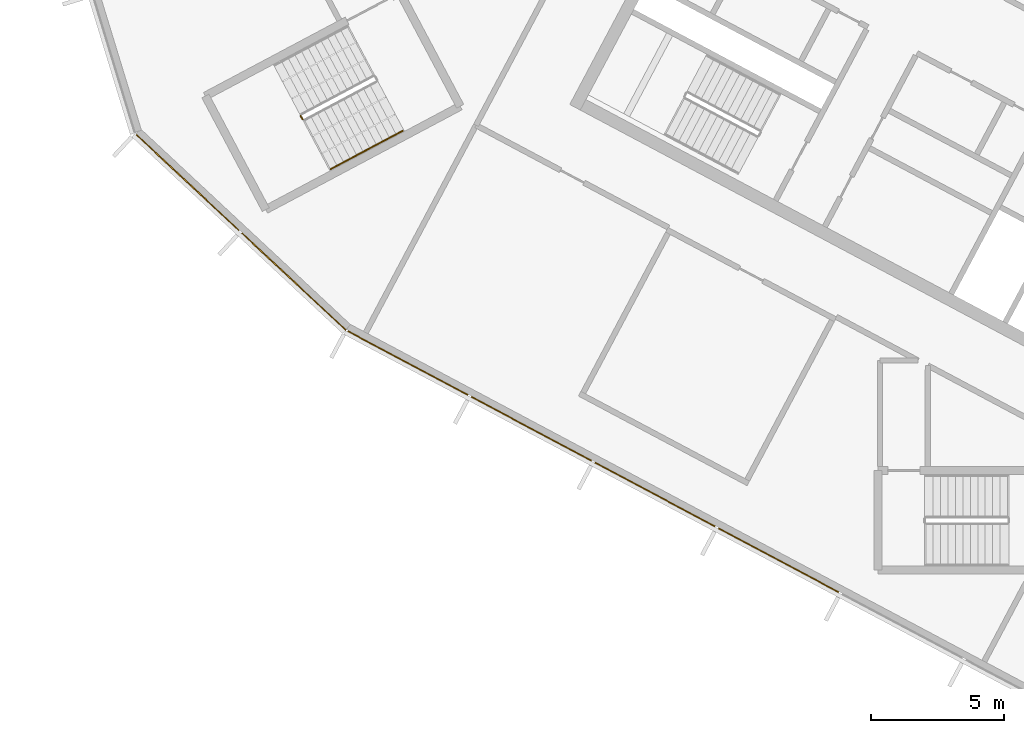
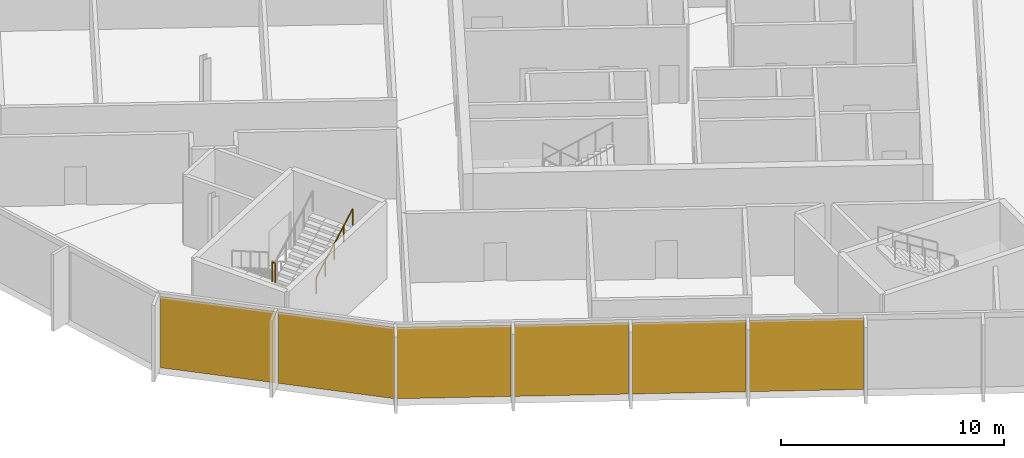
# One storey, part 10 of 16: 6 coverings, 2 railings, 2 elements without a shape of their own.
"""IFC4 building model written with IfcOpenShell, lengths in metres."""

import ifcopenshell
import ifcopenshell.guid

model = None  # the IFC model being written
_history = None  # IfcOwnerHistory: only IFC2X3 demands one
_inside = {}  # id of a spatial element -> (the spatial element, [elements in it])
_under = {}  # id of a project, library or spatial element -> (it, [spatial elements below it])
_declared = {}  # id of a project -> (the project, [libraries it declares])
_typed = {}  # id of a type object -> (the type object, [elements of that type])
_made_of = {}  # id of a material, layer set ... -> (it, [elements and type objects made of it])


def new_model(schema):
    """Start an empty IFC model of exactly this schema.

    Asked for "IFC4X3", IfcOpenShell would pick the latest addendum, in which some entities
    have other attributes; the version numbers below select the first issue.
    IFC2X3 requires an IfcOwnerHistory on every rooted entity: one is made here for all.
    """
    global model, _history
    if schema == "IFC4X3":
        model = ifcopenshell.file(schema_version=(4, 3, 0, 0))
    else:
        model = ifcopenshell.file(schema=schema)
    _inside.clear()
    _under.clear()
    _declared.clear()
    _typed.clear()
    _made_of.clear()
    _history = None
    if model.schema == "IFC2X3":
        org = make("IfcOrganization", Name="unknown")
        user = make(
            "IfcPersonAndOrganization",
            ThePerson=make("IfcPerson", FamilyName="unknown"),
            TheOrganization=org,
        )
        app = make(
            "IfcApplication",
            ApplicationDeveloper=org,
            Version="unknown",
            ApplicationFullName="unknown",
            ApplicationIdentifier="unknown",
        )
        _history = make(
            "IfcOwnerHistory",
            OwningUser=user,
            OwningApplication=app,
            ChangeAction="ADDED",
            CreationDate=0,
        )
    return model


def make(cls, **values):
    """One entity of the class cls with the attributes given. An attribute that is None is left unset."""
    return model.create_entity(
        cls, **{name: value for name, value in values.items() if value is not None}
    )


def rooted(cls, **values):
    """An entity with a GlobalId (a new one), such as an element, a storey or a relation."""
    return make(cls, GlobalId=ifcopenshell.guid.new(), OwnerHistory=_history, **values)


def si_unit(unit_type, name, prefix=None):
    """IfcSIUnit, for example si_unit("LENGTHUNIT", "METRE", prefix="MILLI")."""
    return make("IfcSIUnit", UnitType=unit_type, Prefix=prefix, Name=name)


def assignment(units):
    """IfcUnitAssignment: the units of a project."""
    return None if units is None else make("IfcUnitAssignment", Units=units)


def point(xyz):
    """IfcCartesianPoint."""
    return None if xyz is None else make("IfcCartesianPoint", Coordinates=xyz)


def direction(xyz):
    """IfcDirection."""
    return None if xyz is None else make("IfcDirection", DirectionRatios=xyz)


def frame(location, z_axis=None, x_axis=None):
    """IfcAxis2Placement3D, a coordinate frame: its origin and axes. An axis left out is left unset."""
    return make(
        "IfcAxis2Placement3D",
        Location=point(location),
        Axis=direction(z_axis),
        RefDirection=direction(x_axis),
    )


def frame_2d(location, x_axis=None):
    """IfcAxis2Placement2D, a coordinate frame in the plane: its origin and x axis."""
    return make(
        "IfcAxis2Placement2D", Location=point(location), RefDirection=direction(x_axis)
    )


def origin():
    """The frame at (0, 0, 0) with its axes left unset."""
    return frame((0.0, 0.0, 0.0))


def origin_2d():
    """The frame at (0, 0) in the plane with its x axis left unset."""
    return frame_2d((0.0, 0.0))


def place(relative_to, where):
    """IfcLocalPlacement: puts the frame where relative to a parent placement (None: the world)."""
    return make(
        "IfcLocalPlacement", PlacementRelTo=relative_to, RelativePlacement=where
    )


def context(
    kind, dimensions, precision=None, world=None, true_north=None, identifier=None
):
    """IfcGeometricRepresentationContext, for example the 3D "Model" context."""
    return make(
        "IfcGeometricRepresentationContext",
        ContextIdentifier=identifier,
        ContextType=kind,
        CoordinateSpaceDimension=dimensions,
        Precision=precision,
        WorldCoordinateSystem=world,
        TrueNorth=true_north,
    )


def subcontext(parent, identifier, kind, view, scale=None):
    """IfcGeometricRepresentationSubContext, for example "Body" below "Model"."""
    return make(
        "IfcGeometricRepresentationSubContext",
        ContextIdentifier=identifier,
        ContextType=kind,
        ParentContext=parent,
        TargetScale=scale,
        TargetView=view,
    )


def project(units=None, contexts=None):
    """IfcProject with its units and contexts."""
    return rooted(
        "IfcProject",
        Name="project",
        RepresentationContexts=contexts,
        UnitsInContext=assignment(units),
    )


def spatial(cls, under=None, at=None, **own):
    """A site, building, storey or space (cls), placed at a placement, below another one or the project."""
    s = rooted(cls, ObjectPlacement=at, **own)
    if under is not None:
        _under.setdefault(under.id(), (under, []))[1].append(s)
    return s


def polyline(points):
    """IfcPolyline through the points."""
    return make("IfcPolyline", Points=[point(p) for p in points])


def profile(cls, at=None, kind="AREA", **sizes):
    """A parametric profile (cls). Its sizes go by their IFC names, for example OverallWidth=200.0."""
    return make(cls, ProfileType=kind, Position=at, **sizes)


def rectangle(**sizes):
    """IfcRectangleProfileDef."""
    return profile("IfcRectangleProfileDef", **sizes)


def outline(outer, holes=None, kind="AREA"):
    """IfcArbitraryClosedProfileDef: a profile drawn as a closed curve; with holes, ...WithVoids."""
    if holes is None:
        return make("IfcArbitraryClosedProfileDef", ProfileType=kind, OuterCurve=outer)
    return make(
        "IfcArbitraryProfileDefWithVoids",
        ProfileType=kind,
        OuterCurve=outer,
        InnerCurves=holes,
    )


def extrude(swept, where, along, depth):
    """IfcExtrudedAreaSolid: the profile swept, set in the frame where, extruded along a direction by depth."""
    return make(
        "IfcExtrudedAreaSolid",
        SweptArea=swept,
        Position=where,
        ExtrudedDirection=direction(along),
        Depth=depth,
    )


def shape(context_of_items, identifier, shape_type, items):
    """IfcShapeRepresentation: the items that make up one representation, for example the "Body"."""
    return make(
        "IfcShapeRepresentation",
        ContextOfItems=context_of_items,
        RepresentationIdentifier=identifier,
        RepresentationType=shape_type,
        Items=items,
    )


def material(Name=None, Category=None):
    """IfcMaterial."""
    return make("IfcMaterial", Name=Name, Category=Category)


def layer(
    of_material, thickness, ventilated=None, Name=None, Category=None, Priority=None
):
    """IfcMaterialLayer: one layer of a wall or slab, of a material (None: an air gap)."""
    return make(
        "IfcMaterialLayer",
        Material=of_material,
        LayerThickness=thickness,
        IsVentilated=ventilated,
        Name=Name,
        Category=Category,
        Priority=Priority,
    )


def layer_set(layers, Name=None):
    """IfcMaterialLayerSet."""
    return make("IfcMaterialLayerSet", MaterialLayers=layers, LayerSetName=Name)


def made_of(thing, what):
    """Note that an element or type object is made of a material, layer set ...; save() writes the relation."""
    if what is not None:
        _made_of.setdefault(what.id(), (what, []))[1].append(thing)
    return thing


def type_object(cls, material=None, **own):
    """A type object (cls), such as IfcWallType, which elements share."""
    return made_of(rooted(cls, **own), material)


def element(
    cls,
    number,
    at=None,
    inside=None,
    cuts=None,
    type_object=None,
    material=None,
    context=None,
    identifier="Body",
    shape_type=None,
    held_by="IfcProductDefinitionShape",
    body=None,
    shapes=None,
    **own,
):
    """One element of the class cls, such as IfcWall. Its Tag is "e" and its number.

    at: its placement. inside: the storey or other place that contains it. cuts: it is an
    opening in that element (IfcRelVoidsElement). A single representation is given by context,
    identifier, shape_type and body (its items); several are given by shapes. held_by: the class
    of the entity that holds the representations. save() writes the other relations.
    """
    e = rooted(cls, Tag="e%d" % number, ObjectPlacement=at, **own)
    if body is not None:
        shapes = [shape(context, identifier, shape_type, body)]
    if shapes is not None:
        e.Representation = make(held_by, Representations=shapes)
    if inside is not None:
        _inside.setdefault(inside.id(), (inside, []))[1].append(e)
    if cuts is not None:
        rooted(
            "IfcRelVoidsElement", RelatingBuildingElement=cuts, RelatedOpeningElement=e
        )
    if type_object is not None:
        _typed.setdefault(type_object.id(), (type_object, []))[1].append(e)
    return made_of(e, material)


def aggregate(whole, parts):
    """IfcRelAggregates: a whole, such as a stair, and the parts it consists of."""
    return rooted("IfcRelAggregates", RelatingObject=whole, RelatedObjects=parts)


def save(model, path):
    """Write the relations noted so far, then the file.

    IfcRelAggregates (storeys below a building ...), IfcRelContainedInSpatialStructure (elements
    in a storey), IfcRelDefinesByType, IfcRelAssociatesMaterial and IfcRelDeclares: one each for
    every whole, place, type object, material and project.
    """
    for whole, parts in _under.values():
        aggregate(whole, parts)
    for where, things in _inside.values():
        rooted(
            "IfcRelContainedInSpatialStructure",
            RelatedElements=things,
            RelatingStructure=where,
        )
    for kind, things in _typed.values():
        rooted("IfcRelDefinesByType", RelatedObjects=things, RelatingType=kind)
    for what, things in _made_of.values():
        rooted("IfcRelAssociatesMaterial", RelatedObjects=things, RelatingMaterial=what)
    for by, libraries in _declared.values():
        rooted("IfcRelDeclares", RelatingContext=by, RelatedDefinitions=libraries)
    model.write(path)


model = new_model("IFC4")

# Units and contexts
model_context = context("Model", 3, precision=1e-05, world=origin(), true_north=direction((0.0, 1.0)))
body_context = subcontext(model_context, "Body", "Model", "MODEL_VIEW")
ifc_project = project(units=[si_unit("LENGTHUNIT", "METRE"), si_unit("AREAUNIT", "SQUARE_METRE"), si_unit("VOLUMEUNIT", "CUBIC_METRE"), si_unit("PLANEANGLEUNIT", "RADIAN"), si_unit("MASSUNIT", "GRAM", prefix="KILO")], contexts=[model_context])

# Site, building, storey
site_placement = place(None, origin())
site = spatial("IfcSite", under=ifc_project, at=site_placement, CompositionType="ELEMENT")
building_placement = place(site_placement, origin())
building = spatial("IfcBuilding", under=site, at=building_placement, Name="Cormorant Relay Tower", CompositionType="ELEMENT")
storey_placement = place(building_placement, frame((0.0, 0.0, 345.0)))
storey = spatial("IfcBuildingStorey", under=building, at=storey_placement, Name="C5", CompositionType="ELEMENT", Elevation=345.0)

# Curtain wall, coverings
ifc_material_1 = material(Name="Aluminium 6063-T6 anodised bronze", Category="aluminium")
ifc_layer_1 = layer(ifc_material_1, 0.199951171875)
ifc_layer_set_1 = layer_set([ifc_layer_1], Name="CW3 crown screen wall")
curtain_wall_type = type_object("IfcCurtainWallType", Name="CW3 crown screen wall", PredefinedType="NOTDEFINED", material=ifc_layer_set_1)
curtain_wall_1_placement = place(storey_placement, origin())
curtain_wall_1 = element("IfcCurtainWall", 1, at=curtain_wall_1_placement, inside=storey, type_object=curtain_wall_type, Name="CW3 curtain wall 1", PredefinedType="NOTDEFINED")
ifc_material_2 = material(Name="Perforated bronze anodised aluminium screen", Category="aluminium")
ifc_layer_2 = layer(ifc_material_2, 0.0400390625)
ifc_layer_set_2 = layer_set([ifc_layer_2], Name="CW3 perforated bronze screen panel 40")
covering_type = type_object("IfcCoveringType", Name="CW3 perforated bronze screen panel 40", PredefinedType="CLADDING", material=ifc_layer_set_2)
covering_1_placement = place(storey_placement, frame((-47.271484375, 1.328125, 0.0), z_axis=(0.0, 0.0, 1.0), x_axis=(0.882947592859, -0.469471562786, 0.0)))
covering_1 = element("IfcCovering", 2, at=covering_1_placement, type_object=covering_type, Name="CW3 panel X00", PredefinedType="CLADDING", context=body_context, shape_type="SweptSolid", body=[
    extrude(rectangle(XDim=5.12646484375, YDim=0.0400390625, at=origin_2d()), origin(), (0.0, 0.0, 1.0), 3.89990234375),
])
covering_2_placement = place(storey_placement, frame((-42.61279296875, -1.14892578125, 0.0), z_axis=(0.0, 0.0, 1.0), x_axis=(0.882947592859, -0.469471562786, 0.0)))
covering_2 = element("IfcCovering", 3, at=covering_2_placement, type_object=covering_type, Name="CW3 panel X01", PredefinedType="CLADDING", context=body_context, shape_type="SweptSolid", body=[
    extrude(rectangle(XDim=5.12646484375, YDim=0.0400390625, at=origin_2d()), origin(), (0.0, 0.0, 1.0), 3.89990234375),
])
covering_3_placement = place(storey_placement, frame((-37.953857421875, -3.626220703125, 0.0), z_axis=(0.0, 0.0, 1.0), x_axis=(0.882947592859, -0.469471562786, 0.0)))
covering_3 = element("IfcCovering", 4, at=covering_3_placement, type_object=covering_type, Name="CW3 panel X02", PredefinedType="CLADDING", context=body_context, shape_type="SweptSolid", body=[
    extrude(rectangle(XDim=5.12646484375, YDim=0.0400390625, at=origin_2d()), origin(), (0.0, 0.0, 1.0), 3.89990234375),
])
covering_4_placement = place(storey_placement, frame((-33.295166015625, -6.103271484375, 0.0), z_axis=(0.0, 0.0, 1.0), x_axis=(0.882947592859, -0.469471562786, 0.0)))
covering_4 = element("IfcCovering", 5, at=covering_4_placement, type_object=covering_type, Name="CW3 panel X03", PredefinedType="CLADDING", context=body_context, shape_type="SweptSolid", body=[
    extrude(rectangle(XDim=5.12646484375, YDim=0.0400390625, at=origin_2d()), origin(), (0.0, 0.0, 1.0), 3.89990234375),
])
aggregate(curtain_wall_1, [covering_1, covering_2, covering_3, covering_4])

curtain_wall_2_placement = place(storey_placement, origin())
curtain_wall_2 = element("IfcCurtainWall", 6, at=curtain_wall_2_placement, inside=storey, type_object=curtain_wall_type, Name="CW3 curtain wall 20", PredefinedType="NOTDEFINED")
covering_5_placement = place(storey_placement, frame((-55.56787109375, 8.1298828125, 0.0), z_axis=(0.0, 0.0, 1.0), x_axis=(0.731353701619, -0.681998360062, 0.0)))
covering_5 = element("IfcCovering", 7, at=covering_5_placement, type_object=covering_type, Name="CW3 panel X00", PredefinedType="CLADDING", context=body_context, shape_type="SweptSolid", body=[
    extrude(rectangle(XDim=5.28515625, YDim=0.0400390625, at=origin_2d()), origin(), (0.0, 0.0, 1.0), 3.89990234375),
])
covering_6_placement = place(storey_placement, frame((-51.565185546875, 4.3974609375, 0.0), z_axis=(0.0, 0.0, 1.0), x_axis=(0.731353701619, -0.681998360062, 0.0)))
covering_6 = element("IfcCovering", 8, at=covering_6_placement, type_object=covering_type, Name="CW3 panel X01", PredefinedType="CLADDING", context=body_context, shape_type="SweptSolid", body=[
    extrude(rectangle(XDim=5.360107421875, YDim=0.0400390625, at=origin_2d()), origin(), (0.0, 0.0, 1.0), 3.89990234375),
])
aggregate(curtain_wall_2, [covering_5, covering_6])

# Railings
ifc_material_3 = material(Name="Steel ASTM A572 Grade 50 (Fy 345 MPa)", Category="steel")
railing_type_1 = type_object("IfcRailingType", Name="Stair guard 1100", PredefinedType="GUARDRAIL", material=ifc_material_3)
railing_1_placement = place(storey_placement, frame((-51.3095703125, 10.641845703125, 2.10009765625)))
element("IfcRailing", 9, at=railing_1_placement, inside=storey, type_object=railing_type_1, Name="C5 RP1 stair guard 2", PredefinedType="GUARDRAIL", context=body_context, shape_type="SweptSolid", body=[
    extrude(outline(polyline([(0.022216796875, 0.00927734375), (0.00927734375, 0.022216796875), (-0.00927734375, 0.022216796875), (-0.022216796875, 0.00927734375), (-0.022216796875, -0.00927734375), (-0.00927734375, -0.022216796875), (0.00927734375, -0.022216796875), (0.022216796875, -0.00927734375), (0.022216796875, 0.00927734375)])), frame((0.0, 0.0, 1.076171875), z_axis=(0.469828648786, -0.882757634224, 0.0), x_axis=(0.882757634224, 0.469828648786, 0.0)), (0.0, 0.0, 1.0), 0.150146484375),
    extrude(outline(polyline([(0.019287109375, 0.008056640625), (0.008056640625, 0.019287109375), (-0.008056640625, 0.019287109375), (-0.019287109375, 0.008056640625), (-0.019287109375, -0.008056640625), (-0.008056640625, -0.019287109375), (0.008056640625, -0.019287109375), (0.019287109375, -0.008056640625), (0.019287109375, 0.008056640625)])), origin(), (0.0, 0.0, 1.0), 1.052001953125),
    extrude(outline(polyline([(0.019287109375, 0.008056640625), (0.008056640625, 0.019287109375), (-0.008056640625, 0.019287109375), (-0.019287109375, 0.008056640625), (-0.019287109375, -0.008056640625), (-0.008056640625, -0.019287109375), (0.008056640625, -0.019287109375), (0.019287109375, -0.008056640625), (0.019287109375, 0.008056640625)])), frame((0.070556640625, -0.132568359375, 0.0)), (0.0, 0.0, 1.0), 1.052001953125),
])
ifc_material_4 = material(Name="Steel ASTM A572 Grade 50 (Fy 345 MPa)", Category="steel")
railing_type_2 = type_object("IfcRailingType", Name="Stair handrail 900", PredefinedType="HANDRAIL", material=ifc_material_4)
railing_2_placement = place(storey_placement, frame((-50.185546875, 8.634521484375, 2.27490234375)))
element("IfcRailing", 10, at=railing_2_placement, inside=storey, type_object=railing_type_2, Name="C5 RP1 stair handrail 2", PredefinedType="HANDRAIL", context=body_context, shape_type="SweptSolid", body=[
    extrude(outline(polyline([(0.022216796875, 0.00927734375), (0.00927734375, 0.022216796875), (-0.00927734375, 0.022216796875), (-0.022216796875, 0.00927734375), (-0.022216796875, -0.00927734375), (-0.00927734375, -0.022216796875), (0.00927734375, -0.022216796875), (0.022216796875, -0.00927734375), (0.022216796875, 0.00927734375)])), frame((0.0, 0.0, 0.8759765625), z_axis=(0.748727239859, 0.398124736663, 0.530003975787), x_axis=(-0.469489399267, 0.882938108802, 0.0)), (0.0, 0.0, 1.0), 3.632080078125),
    extrude(outline(polyline([(0.019287109375, 0.008056640625), (0.008056640625, 0.019287109375), (-0.008056640625, 0.019287109375), (-0.019287109375, 0.008056640625), (-0.019287109375, -0.008056640625), (-0.008056640625, -0.019287109375), (0.008056640625, -0.019287109375), (0.019287109375, -0.008056640625), (0.019287109375, 0.008056640625)])), origin(), (0.0, 0.0, 1.0), 0.851806640625),
    extrude(outline(polyline([(0.019287109375, 0.008056640625), (0.008056640625, 0.019287109375), (-0.008056640625, 0.019287109375), (-0.019287109375, 0.008056640625), (-0.019287109375, -0.008056640625), (-0.008056640625, -0.019287109375), (0.008056640625, -0.019287109375), (0.019287109375, -0.008056640625), (0.019287109375, 0.008056640625)])), frame((0.679931640625, 0.361572265625, 0.481201171875)), (0.0, 0.0, 1.0), 0.851806640625),
    extrude(outline(polyline([(0.019287109375, 0.008056640625), (0.008056640625, 0.019287109375), (-0.008056640625, 0.019287109375), (-0.019287109375, 0.008056640625), (-0.019287109375, -0.008056640625), (-0.008056640625, -0.019287109375), (0.008056640625, -0.019287109375), (0.019287109375, -0.008056640625), (0.019287109375, 0.008056640625)])), frame((1.35986328125, 0.72314453125, 0.96240234375)), (0.0, 0.0, 1.0), 0.851806640625),
    extrude(outline(polyline([(0.019287109375, 0.008056640625), (0.008056640625, 0.019287109375), (-0.008056640625, 0.019287109375), (-0.019287109375, 0.008056640625), (-0.019287109375, -0.008056640625), (-0.008056640625, -0.019287109375), (0.008056640625, -0.019287109375), (0.019287109375, -0.008056640625), (0.019287109375, 0.008056640625)])), frame((2.03955078125, 1.08447265625, 1.44384765625)), (0.0, 0.0, 1.0), 0.851806640625),
    extrude(outline(polyline([(0.019287109375, 0.008056640625), (0.008056640625, 0.019287109375), (-0.008056640625, 0.019287109375), (-0.019287109375, 0.008056640625), (-0.019287109375, -0.008056640625), (-0.008056640625, -0.019287109375), (0.008056640625, -0.019287109375), (0.019287109375, -0.008056640625), (0.019287109375, 0.008056640625)])), frame((2.719482421875, 1.446044921875, 1.925048828125)), (0.0, 0.0, 1.0), 0.851806640625),
])

save(model, "model.ifc")
